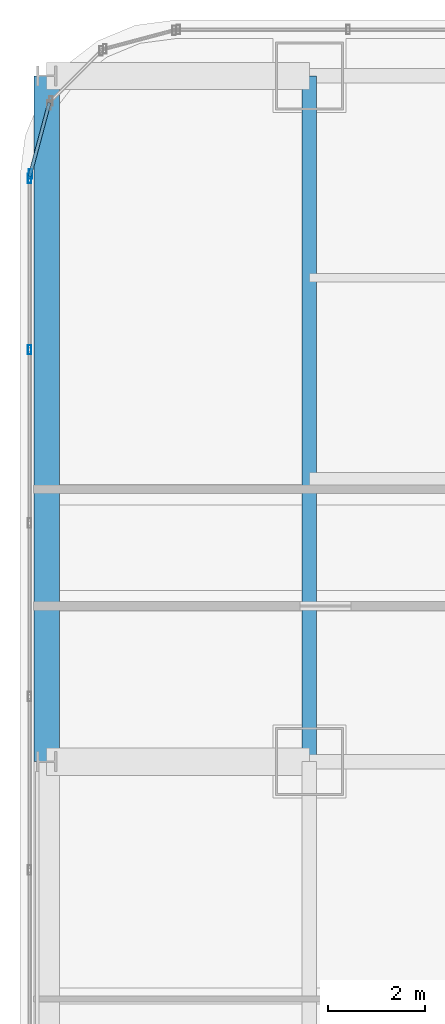
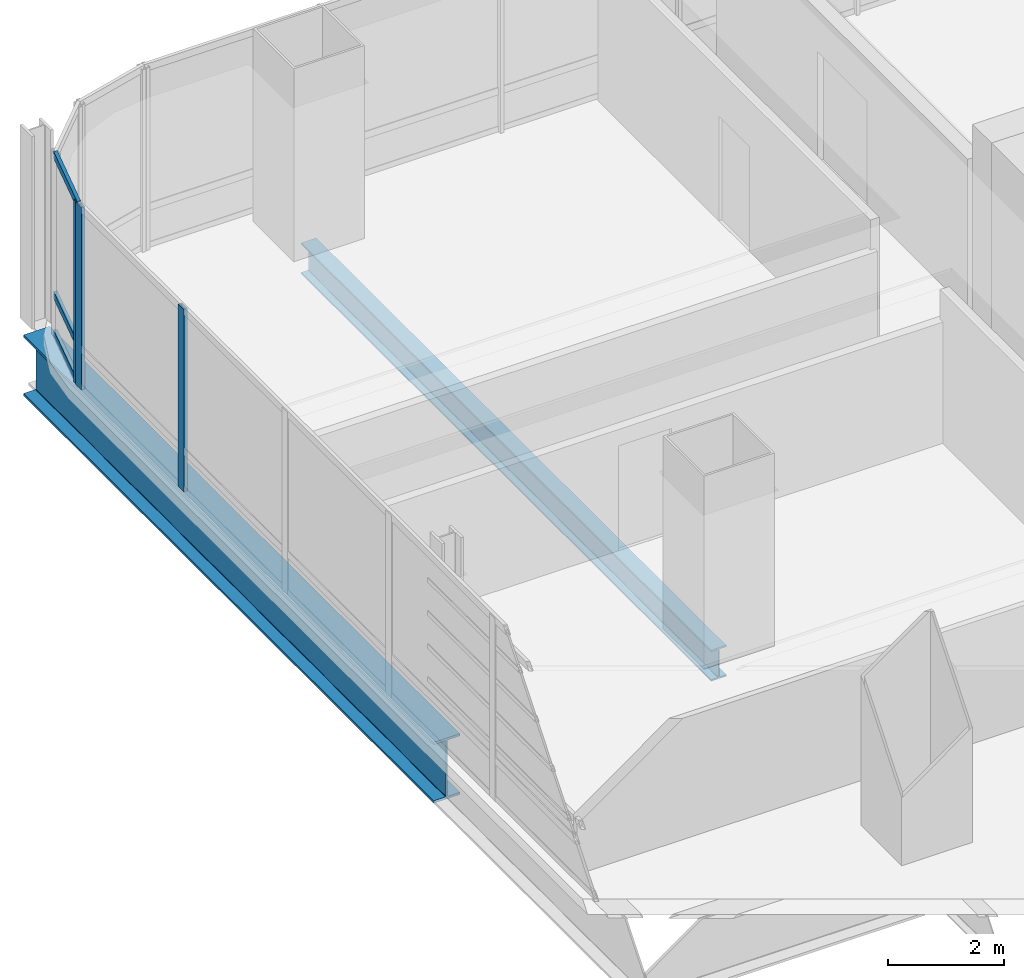
# One storey, part 18 of 36: 6 members, 2 beams, 2 elements without a shape of their own.
"""IFC4 building model written with IfcOpenShell, lengths in metres."""

from ifc_helpers import new_model, si_unit, direction, frame, origin, origin_2d, place, context, subcontext, project, spatial, hollow_rectangle, i_section, extrude, material, material_profile, profile_set, type_object, element, aggregate, save


model = new_model("IFC4")

# Units and contexts
model_context = context("Model", 3, precision=1e-05, world=origin(), true_north=direction((0.0, 1.0)))
body_context = subcontext(model_context, "Body", "Model", "MODEL_VIEW")
ifc_project = project(units=[si_unit("LENGTHUNIT", "METRE"), si_unit("AREAUNIT", "SQUARE_METRE"), si_unit("VOLUMEUNIT", "CUBIC_METRE"), si_unit("PLANEANGLEUNIT", "RADIAN"), si_unit("MASSUNIT", "GRAM", prefix="KILO")], contexts=[model_context])

# Site, building, storey
site_placement = place(None, origin())
site = spatial("IfcSite", under=ifc_project, at=site_placement, CompositionType="ELEMENT")
building_placement = place(site_placement, origin())
building = spatial("IfcBuilding", under=site, at=building_placement, Name="Punatoya Terracotta Tower", CompositionType="ELEMENT")
storey_placement = place(building_placement, frame((0.0, 0.0, 176.25)))
storey = spatial("IfcBuildingStorey", under=building, at=storey_placement, Name="L41", CompositionType="ELEMENT", Elevation=176.25)

# Beams
ifc_material_1 = material(Name="Steel S355", Category="steel")
ifc_material_profile_1 = material_profile(ifc_material_1, i_section(OverallWidth=0.300048828125, OverallDepth=0.64990234375, WebThickness=0.01611328125, FlangeThickness=0.031005859375, FilletRadius=0.01806640625, at=origin_2d()))
ifc_profile_set_1 = profile_set([ifc_material_profile_1], Name="Steel S355")
beam_type_1 = type_object("IfcBeamType", Name="BM-PRI-650", PredefinedType="BEAM", material=ifc_profile_set_1)
beam_1_placement = place(storey_placement, frame((-19.10009765625, 3.39990234375, -0.544921875), z_axis=(0.0, 1.0, 0.0), x_axis=(-1.0, 0.0, 0.0)))
element("IfcBeam", 1, at=beam_1_placement, inside=storey, type_object=beam_type_1, Name="BM-L41-RG-W3", PredefinedType="BEAM", context=body_context, shape_type="SweptSolid", body=[
    extrude(i_section(OverallWidth=0.300048828125, OverallDepth=0.64990234375, WebThickness=0.01611328125, FlangeThickness=0.031005859375, FilletRadius=0.01806640625, at=origin_2d()), origin(), (0.0, 0.0, 1.0), 14.10009765625),
])
ifc_material_2 = material(Name="Steel S460", Category="steel")
ifc_material_profile_2 = material_profile(ifc_material_2, i_section(OverallWidth=0.52001953125, OverallDepth=1.280029296875, WebThickness=0.031982421875, FlangeThickness=0.050048828125, FilletRadius=0.01806640625, at=origin_2d()))
ifc_profile_set_2 = profile_set([ifc_material_profile_2], Name="Steel S460")
beam_type_2 = type_object("IfcBeamType", Name="BM-TG-NCK", PredefinedType="BEAM", material=ifc_profile_set_2)
beam_2_placement = place(storey_placement, frame((-24.5, 3.39990234375, -0.860107421875), z_axis=(0.0, 1.0, 0.0), x_axis=(-1.0, 0.0, 0.0)))
element("IfcBeam", 2, at=beam_2_placement, inside=storey, type_object=beam_type_2, Name="BM-L41-PER-W3", PredefinedType="BEAM", context=body_context, shape_type="SweptSolid", body=[
    extrude(i_section(OverallWidth=0.52001953125, OverallDepth=1.280029296875, WebThickness=0.031982421875, FlangeThickness=0.050048828125, FilletRadius=0.01806640625, at=origin_2d()), origin(), (0.0, 0.0, 1.0), 14.10009765625),
])

# Curtain wall, member
ifc_material_3 = material(Name="Aluminium 6063-T6 + Double Low-E Glass", Category="aluminium")
curtain_wall_type = type_object("IfcCurtainWallType", Name="CW-M2", PredefinedType="NOTDEFINED", material=ifc_material_3)
curtain_wall_1_placement = place(storey_placement, origin())
curtain_wall_1 = element("IfcCurtainWall", 3, at=curtain_wall_1_placement, inside=storey, type_object=curtain_wall_type, Name="L41 Curtain Wall CW-L41-CRN12", PredefinedType="NOTDEFINED")
ifc_material_4 = material(Name="Aluminium 6063-T6", Category="aluminium")
ifc_material_profile_3 = material_profile(ifc_material_4, hollow_rectangle(XDim=0.072021484375, YDim=0.195068359375, WallThickness=0.00439453125, at=origin_2d()))
ifc_profile_set_3 = profile_set([ifc_material_profile_3], Name="Aluminium 6063-T6")
member_type_1 = type_object("IfcMemberType", Name="CW-MUL-M2", PredefinedType="MULLION", material=ifc_profile_set_3)
member_1_placement = place(storey_placement, frame((-24.83837890625, 15.48046875, 0.0), z_axis=(0.0, 0.0, 1.0), x_axis=(1.0, 0.0, 0.0)))
member_1 = element("IfcMember", 4, at=member_1_placement, type_object=member_type_1, Name="CW-L41-CRN12 Mullion 01", PredefinedType="MULLION", context=body_context, shape_type="SweptSolid", body=[
    extrude(hollow_rectangle(XDim=0.072021484375, YDim=0.195068359375, WallThickness=0.00439453125, at=origin_2d()), origin(), (0.0, 0.0, 1.0), 3.830078125),
])

# Curtain wall, members
curtain_wall_2_placement = place(storey_placement, origin())
curtain_wall_2 = element("IfcCurtainWall", 5, at=curtain_wall_2_placement, inside=storey, type_object=curtain_wall_type, Name="L41 Curtain Wall CW-L41-W13-1", PredefinedType="NOTDEFINED")
member_2_placement = place(storey_placement, frame((-24.85009765625, 15.391845703125, 0.0), z_axis=(0.0, 0.0, 1.0), x_axis=(1.0, 0.0, 0.0)))
member_2 = element("IfcMember", 6, at=member_2_placement, type_object=member_type_1, Name="CW-L41-W13-1 Mullion 00", PredefinedType="MULLION", context=body_context, shape_type="SweptSolid", body=[
    extrude(hollow_rectangle(XDim=0.072021484375, YDim=0.195068359375, WallThickness=0.00439453125, at=origin_2d()), origin(), (0.0, 0.0, 1.0), 3.830078125),
])
member_3_placement = place(storey_placement, frame((-24.85009765625, 11.869384765625, 0.0), z_axis=(0.0, 0.0, 1.0), x_axis=(1.0, 0.0, 0.0)))
member_3 = element("IfcMember", 7, at=member_3_placement, type_object=member_type_1, Name="CW-L41-W13-1 Mullion 01", PredefinedType="MULLION", context=body_context, shape_type="SweptSolid", body=[
    extrude(hollow_rectangle(XDim=0.072021484375, YDim=0.195068359375, WallThickness=0.00439453125, at=origin_2d()), origin(), (0.0, 0.0, 1.0), 3.830078125),
])
aggregate(curtain_wall_2, [member_2, member_3])

# Member
ifc_material_profile_4 = material_profile(ifc_material_4, hollow_rectangle(XDim=0.068115234375, YDim=0.14990234375, WallThickness=0.00390625, at=origin_2d()))
ifc_profile_set_4 = profile_set([ifc_material_profile_4], Name="Aluminium 6063-T6")
member_type_2 = type_object("IfcMemberType", Name="CW-TRN-TYP", PredefinedType="USERDEFINED", material=ifc_profile_set_4)
member_4_placement = place(storey_placement, frame((-24.446533203125, 16.94921875, 0.0400390625), z_axis=(-0.257847112249, -0.966185730957, 0.0), x_axis=(0.966185730957, -0.257847112249, 0.0)))
member_4 = element("IfcMember", 8, at=member_4_placement, type_object=member_type_2, Name="CW-L41-CRN12 Transom 1", ObjectType="TRANSOM", PredefinedType="USERDEFINED", context=body_context, shape_type="SweptSolid", body=[
    extrude(hollow_rectangle(XDim=0.068115234375, YDim=0.14990234375, WallThickness=0.00390625, at=origin_2d()), origin(), (0.0, 0.0, 1.0), 1.565185546875),
])

member_5_placement = place(storey_placement, frame((-24.446533203125, 16.94921875, 0.85009765625), z_axis=(-0.257847112249, -0.966185730957, 0.0), x_axis=(0.966185730957, -0.257847112249, 0.0)))
member_5 = element("IfcMember", 9, at=member_5_placement, type_object=member_type_2, Name="CW-L41-CRN12 Transom 2", ObjectType="TRANSOM", PredefinedType="USERDEFINED", context=body_context, shape_type="SweptSolid", body=[
    extrude(hollow_rectangle(XDim=0.068115234375, YDim=0.14990234375, WallThickness=0.00390625, at=origin_2d()), origin(), (0.0, 0.0, 1.0), 1.565185546875),
])

member_6_placement = place(storey_placement, frame((-24.446533203125, 16.94921875, 3.7900390625), z_axis=(-0.257847112249, -0.966185730957, 0.0), x_axis=(0.966185730957, -0.257847112249, 0.0)))
member_6 = element("IfcMember", 10, at=member_6_placement, type_object=member_type_2, Name="CW-L41-CRN12 Transom 3", ObjectType="TRANSOM", PredefinedType="USERDEFINED", context=body_context, shape_type="SweptSolid", body=[
    extrude(hollow_rectangle(XDim=0.068115234375, YDim=0.14990234375, WallThickness=0.00390625, at=origin_2d()), origin(), (0.0, 0.0, 1.0), 1.565185546875),
])

aggregate(curtain_wall_1, [member_1, member_4, member_5, member_6])

save(model, "model.ifc")
